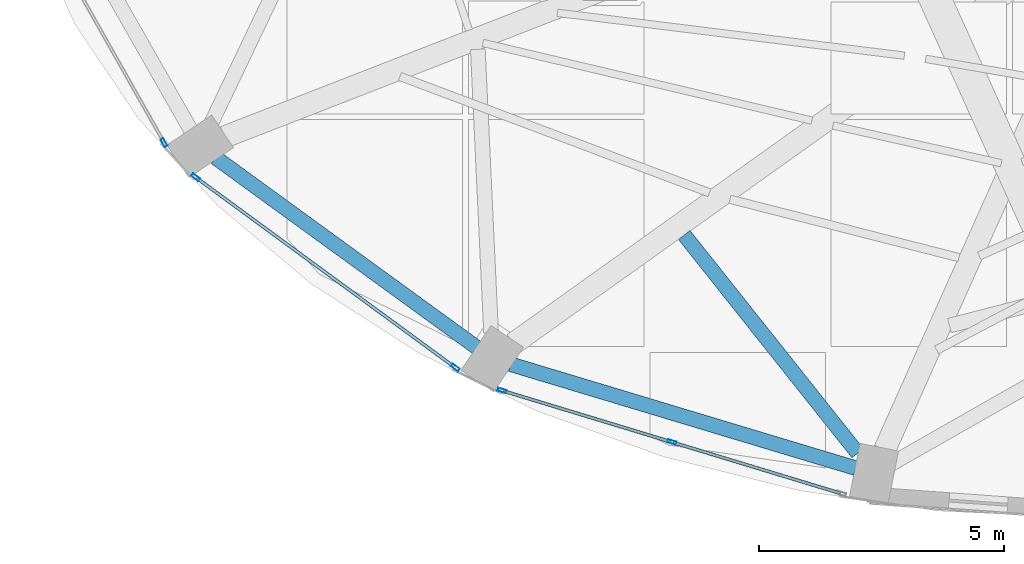
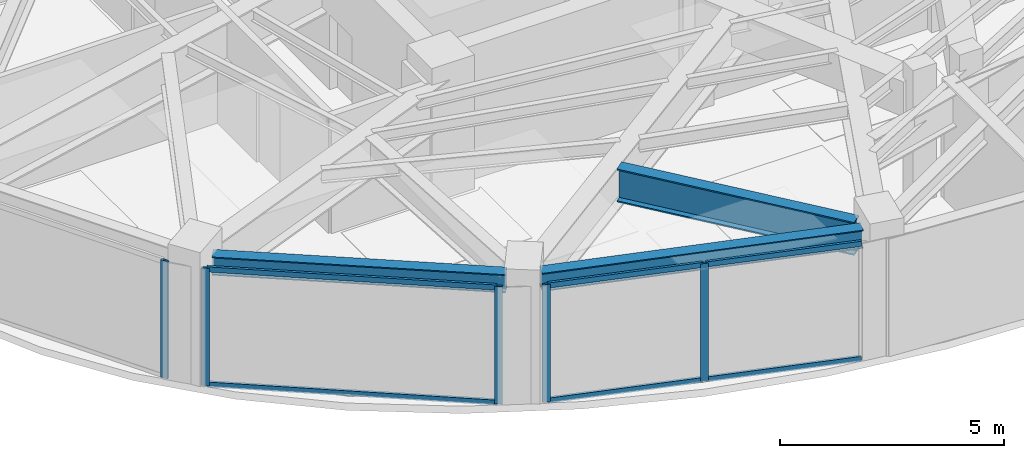
# One storey, part 2 of 23: 11 members, 3 beams, 3 elements without a shape of their own.
"""IFC4 building model written with IfcOpenShell, lengths in metres."""

from ifc_helpers import new_model, si_unit, direction, frame, origin, origin_2d, place, context, subcontext, project, spatial, hollow_rectangle, i_section, extrude, material, layer, layer_set, material_profile, profile_set, type_object, element, aggregate, save


model = new_model("IFC4")

# Units and contexts
model_context = context("Model", 3, precision=1e-05, world=origin(), true_north=direction((0.0, 1.0)))
body_context = subcontext(model_context, "Body", "Model", "MODEL_VIEW")
ifc_project = project(units=[si_unit("LENGTHUNIT", "METRE"), si_unit("AREAUNIT", "SQUARE_METRE"), si_unit("VOLUMEUNIT", "CUBIC_METRE"), si_unit("PLANEANGLEUNIT", "RADIAN"), si_unit("MASSUNIT", "GRAM", prefix="KILO")], contexts=[model_context])

# Site, building, storey
site_placement = place(None, origin())
site = spatial("IfcSite", under=ifc_project, at=site_placement, CompositionType="ELEMENT")
building_placement = place(site_placement, origin())
building = spatial("IfcBuilding", under=site, at=building_placement, Name="Lazwardi Medical Tower", CompositionType="ELEMENT")
storey_placement = place(building_placement, frame((0.0, 0.0, 265.968017578125)))
storey = spatial("IfcBuildingStorey", under=building, at=storey_placement, Name="L69", CompositionType="ELEMENT", Elevation=265.968017578125)

# Beams
ifc_material_1 = material(Name="Steel S460", Category="steel")
ifc_material_profile_1 = material_profile(ifc_material_1, i_section(OverallWidth=0.300048828125, OverallDepth=0.89990234375, WebThickness=0.0185546875, FlangeThickness=0.034912109375, at=origin_2d()), Name="HEB 900")
ifc_profile_set_1 = profile_set([ifc_material_profile_1], Name="Steel S460")
beam_type_1 = type_object("IfcBeamType", Name="BM-HB-01", PredefinedType="BEAM", material=ifc_profile_set_1)
beam_1_placement = place(storey_placement, frame((27.91455078125, 15.0703125, 2.748046875), z_axis=(0.622372323248, -0.78272133691, 0.0), x_axis=(0.78272133691, 0.622372323248, 0.0)))
element("IfcBeam", 1, at=beam_1_placement, inside=storey, type_object=beam_type_1, Name="Transfer girder tie HB-01 M15 L69", PredefinedType="BEAM", context=body_context, shape_type="SweptSolid", body=[
    extrude(i_section(OverallWidth=0.300048828125, OverallDepth=0.89990234375, WebThickness=0.0185546875, FlangeThickness=0.034912109375, at=origin_2d()), origin(), (0.0, 0.0, 1.0), 5.685302734375),
])
ifc_material_2 = material(Name="Steel S355", Category="steel")
ifc_material_profile_2 = material_profile(ifc_material_2, i_section(OverallWidth=0.300048828125, OverallDepth=0.5, WebThickness=0.014404296875, FlangeThickness=0.028076171875, at=origin_2d()), Name="HEB 500")
ifc_profile_set_2 = profile_set([ifc_material_profile_2], Name="Steel S355")
beam_type_2 = type_object("IfcBeamType", Name="BM-RB-Z4", PredefinedType="BEAM", material=ifc_profile_set_2)
beam_2_placement = place(storey_placement, frame((18.355712890625, 16.648193359375, 2.947998046875), z_axis=(0.808889916254, -0.587960120571, 0.0), x_axis=(0.587960120571, 0.808889916254, 0.0)))
element("IfcBeam", 2, at=beam_2_placement, inside=storey, type_object=beam_type_2, Name="Ring beam RB-05 B14 L69", PredefinedType="BEAM", context=body_context, shape_type="SweptSolid", body=[
    extrude(i_section(OverallWidth=0.300048828125, OverallDepth=0.5, WebThickness=0.014404296875, FlangeThickness=0.028076171875, at=origin_2d()), origin(), (0.0, 0.0, 1.0), 6.587158203125),
])
beam_3_placement = place(storey_placement, frame((24.373046875, 12.43359375, 2.947998046875), z_axis=(0.957544311906, -0.288286126506, 0.0), x_axis=(0.288286126506, 0.957544311906, 0.0)))
element("IfcBeam", 3, at=beam_3_placement, inside=storey, type_object=beam_type_2, Name="Ring beam RB-05 B15 L69", PredefinedType="BEAM", context=body_context, shape_type="SweptSolid", body=[
    extrude(i_section(OverallWidth=0.300048828125, OverallDepth=0.5, WebThickness=0.014404296875, FlangeThickness=0.028076171875, at=origin_2d()), origin(), (0.0, 0.0, 1.0), 7.3515625),
])

# Curtain wall, member
ifc_material_3 = material(Name="Anodised bronze aluminium and solar control glazing", Category="aluminium")
ifc_layer = layer(ifc_material_3, 0.18994140625)
ifc_layer_set = layer_set([ifc_layer], Name="Anodised bronze aluminium and solar control glazing")
curtain_wall_type = type_object("IfcCurtainWallType", Name="CW-SYS-04", PredefinedType="NOTDEFINED", material=ifc_layer_set)
curtain_wall_1_placement = place(storey_placement, origin())
curtain_wall_1 = element("IfcCurtainWall", 4, at=curtain_wall_1_placement, inside=storey, type_object=curtain_wall_type, Name="L69 Unitised bronze curtain wall CW-04", PredefinedType="NOTDEFINED")
ifc_material_4 = material(Name="Anodised bronze aluminium", Category="aluminium")
ifc_material_profile_3 = material_profile(ifc_material_4, hollow_rectangle(XDim=0.06494140625, YDim=0.179931640625, WallThickness=0.00390625, at=origin_2d()), Name="ALU-MULLION 180x65x4")
ifc_profile_set_3 = profile_set([ifc_material_profile_3], Name="Anodised bronze aluminium")
member_type_1 = type_object("IfcMemberType", Name="CW-MUL-03", PredefinedType="MULLION", material=ifc_profile_set_3)
member_1_placement = place(storey_placement, frame((17.3056640625, 16.95458984375, 0.0), z_axis=(0.0, 0.0, 1.0), x_axis=(0.870651436011, 0.491900474661, 0.0)))
member_1 = element("IfcMember", 5, at=member_1_placement, type_object=member_type_1, Name="CW-04 mullion 2", PredefinedType="MULLION", context=body_context, shape_type="SweptSolid", body=[
    extrude(hollow_rectangle(XDim=0.06494140625, YDim=0.179931640625, WallThickness=0.00390625, at=origin_2d()), origin(), (0.0, 0.0, 1.0), 3.197998046875),
])
aggregate(curtain_wall_1, [member_1])

# Curtain wall, members
curtain_wall_2_placement = place(storey_placement, origin())
curtain_wall_2 = element("IfcCurtainWall", 6, at=curtain_wall_2_placement, inside=storey, type_object=curtain_wall_type, Name="L69 Unitised bronze curtain wall CW-04", PredefinedType="NOTDEFINED")
member_2_placement = place(storey_placement, frame((17.947998046875, 16.248291015625, 0.0), z_axis=(0.0, 0.0, 1.0), x_axis=(0.591268230971, 0.806474971121, 0.0)))
member_2 = element("IfcMember", 7, at=member_2_placement, type_object=member_type_1, Name="CW-04 mullion 1", PredefinedType="MULLION", context=body_context, shape_type="SweptSolid", body=[
    extrude(hollow_rectangle(XDim=0.06494140625, YDim=0.179931640625, WallThickness=0.00390625, at=origin_2d()), origin(), (0.0, 0.0, 1.0), 3.197998046875),
])
member_3_placement = place(storey_placement, frame((23.24462890625, 12.365234375, 0.0), z_axis=(0.0, 0.0, 1.0), x_axis=(0.591268230971, 0.806474971121, 0.0)))
member_3 = element("IfcMember", 8, at=member_3_placement, type_object=member_type_1, Name="CW-04 mullion 2", PredefinedType="MULLION", context=body_context, shape_type="SweptSolid", body=[
    extrude(hollow_rectangle(XDim=0.06494140625, YDim=0.179931640625, WallThickness=0.00390625, at=origin_2d()), origin(), (0.0, 0.0, 1.0), 3.197998046875),
])

curtain_wall_3_placement = place(storey_placement, origin())
curtain_wall_3 = element("IfcCurtainWall", 9, at=curtain_wall_3_placement, inside=storey, type_object=curtain_wall_type, Name="L69 Unitised bronze curtain wall CW-04", PredefinedType="NOTDEFINED")
member_4_placement = place(storey_placement, frame((24.2001953125, 11.896484375, 0.0), z_axis=(0.0, 0.0, 1.0), x_axis=(0.290581889515, 0.956850126972, 0.0)))
member_4 = element("IfcMember", 10, at=member_4_placement, type_object=member_type_1, Name="CW-04 mullion 1", PredefinedType="MULLION", context=body_context, shape_type="SweptSolid", body=[
    extrude(hollow_rectangle(XDim=0.06494140625, YDim=0.179931640625, WallThickness=0.00390625, at=origin_2d()), origin(), (0.0, 0.0, 1.0), 3.197998046875),
])
member_5_placement = place(storey_placement, frame((27.66357421875, 10.8447265625, 0.0), z_axis=(0.0, 0.0, 1.0), x_axis=(0.290581889515, 0.956850126972, 0.0)))
member_5 = element("IfcMember", 11, at=member_5_placement, type_object=member_type_1, Name="CW-04 mullion 2", PredefinedType="MULLION", context=body_context, shape_type="SweptSolid", body=[
    extrude(hollow_rectangle(XDim=0.06494140625, YDim=0.179931640625, WallThickness=0.00390625, at=origin_2d()), origin(), (0.0, 0.0, 1.0), 3.197998046875),
])

# Member
ifc_material_profile_4 = material_profile(ifc_material_4, hollow_rectangle(XDim=0.06494140625, YDim=0.139892578125, WallThickness=0.00341796875, at=origin_2d()), Name="ALU-TRANSOM 140x65x3.5")
ifc_profile_set_4 = profile_set([ifc_material_profile_4], Name="Anodised bronze aluminium")
member_type_2 = type_object("IfcMemberType", Name="CW-TRN-03", PredefinedType="USERDEFINED", material=ifc_profile_set_4)
member_6_placement = place(storey_placement, frame((17.97412109375, 16.229248046875, 0.032470703125), z_axis=(0.806471831148, -0.591272513791, 0.0), x_axis=(0.591272513791, 0.806471831148, 0.0)))
member_6 = element("IfcMember", 12, at=member_6_placement, type_object=member_type_2, Name="CW-04 transom 1.1", ObjectType="TRANSOM", PredefinedType="USERDEFINED", context=body_context, shape_type="SweptSolid", body=[
    extrude(hollow_rectangle(XDim=0.06494140625, YDim=0.139892578125, WallThickness=0.00341796875, at=origin_2d()), origin(), (0.0, 0.0, 1.0), 6.5029296875),
])

member_7_placement = place(storey_placement, frame((17.97412109375, 16.229248046875, 3.16552734375), z_axis=(0.806471831148, -0.591272513791, 0.0), x_axis=(0.591272513791, 0.806471831148, 0.0)))
member_7 = element("IfcMember", 13, at=member_7_placement, type_object=member_type_2, Name="CW-04 transom 1.2", ObjectType="TRANSOM", PredefinedType="USERDEFINED", context=body_context, shape_type="SweptSolid", body=[
    extrude(hollow_rectangle(XDim=0.06494140625, YDim=0.139892578125, WallThickness=0.00341796875, at=origin_2d()), origin(), (0.0, 0.0, 1.0), 6.5029296875),
])

aggregate(curtain_wall_2, [member_2, member_3, member_6, member_7])

member_8_placement = place(storey_placement, frame((24.2314453125, 11.886962890625, 0.032470703125), z_axis=(0.956862505902, -0.290541124109, 0.0), x_axis=(0.290541124109, 0.956862505902, 0.0)))
member_8 = element("IfcMember", 14, at=member_8_placement, type_object=member_type_2, Name="CW-04 transom 1.1", ObjectType="TRANSOM", PredefinedType="USERDEFINED", context=body_context, shape_type="SweptSolid", body=[
    extrude(hollow_rectangle(XDim=0.06494140625, YDim=0.139892578125, WallThickness=0.00341796875, at=origin_2d()), origin(), (0.0, 0.0, 1.0), 3.554443359375),
])

member_9_placement = place(storey_placement, frame((24.2314453125, 11.886962890625, 3.16552734375), z_axis=(0.956862505902, -0.290541124109, 0.0), x_axis=(0.290541124109, 0.956862505902, 0.0)))
member_9 = element("IfcMember", 15, at=member_9_placement, type_object=member_type_2, Name="CW-04 transom 1.2", ObjectType="TRANSOM", PredefinedType="USERDEFINED", context=body_context, shape_type="SweptSolid", body=[
    extrude(hollow_rectangle(XDim=0.06494140625, YDim=0.139892578125, WallThickness=0.00341796875, at=origin_2d()), origin(), (0.0, 0.0, 1.0), 3.554443359375),
])

member_10_placement = place(storey_placement, frame((27.694580078125, 10.835205078125, 0.032470703125), z_axis=(0.956862505902, -0.290541124109, 0.0), x_axis=(0.290541124109, 0.956862505902, 0.0)))
member_10 = element("IfcMember", 16, at=member_10_placement, type_object=member_type_2, Name="CW-04 transom 2.1", ObjectType="TRANSOM", PredefinedType="USERDEFINED", context=body_context, shape_type="SweptSolid", body=[
    extrude(hollow_rectangle(XDim=0.06494140625, YDim=0.139892578125, WallThickness=0.00341796875, at=origin_2d()), origin(), (0.0, 0.0, 1.0), 3.554443359375),
])

member_11_placement = place(storey_placement, frame((27.694580078125, 10.835205078125, 3.16552734375), z_axis=(0.956862505902, -0.290541124109, 0.0), x_axis=(0.290541124109, 0.956862505902, 0.0)))
member_11 = element("IfcMember", 17, at=member_11_placement, type_object=member_type_2, Name="CW-04 transom 2.2", ObjectType="TRANSOM", PredefinedType="USERDEFINED", context=body_context, shape_type="SweptSolid", body=[
    extrude(hollow_rectangle(XDim=0.06494140625, YDim=0.139892578125, WallThickness=0.00341796875, at=origin_2d()), origin(), (0.0, 0.0, 1.0), 3.554443359375),
])

aggregate(curtain_wall_3, [member_4, member_5, member_8, member_9, member_10, member_11])

save(model, "model.ifc")
